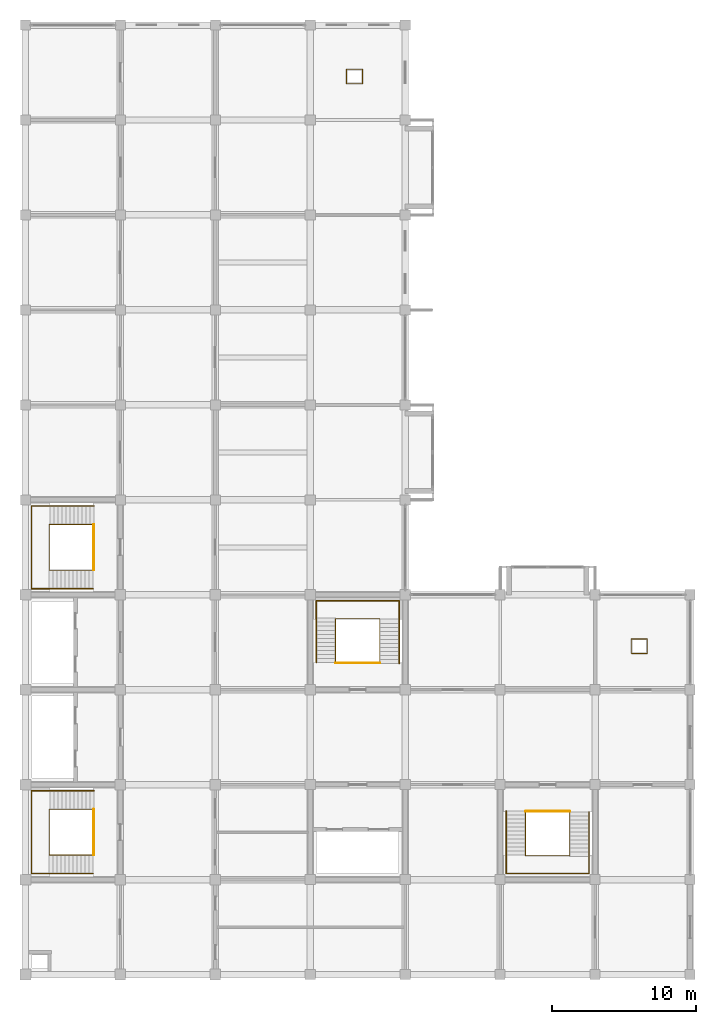
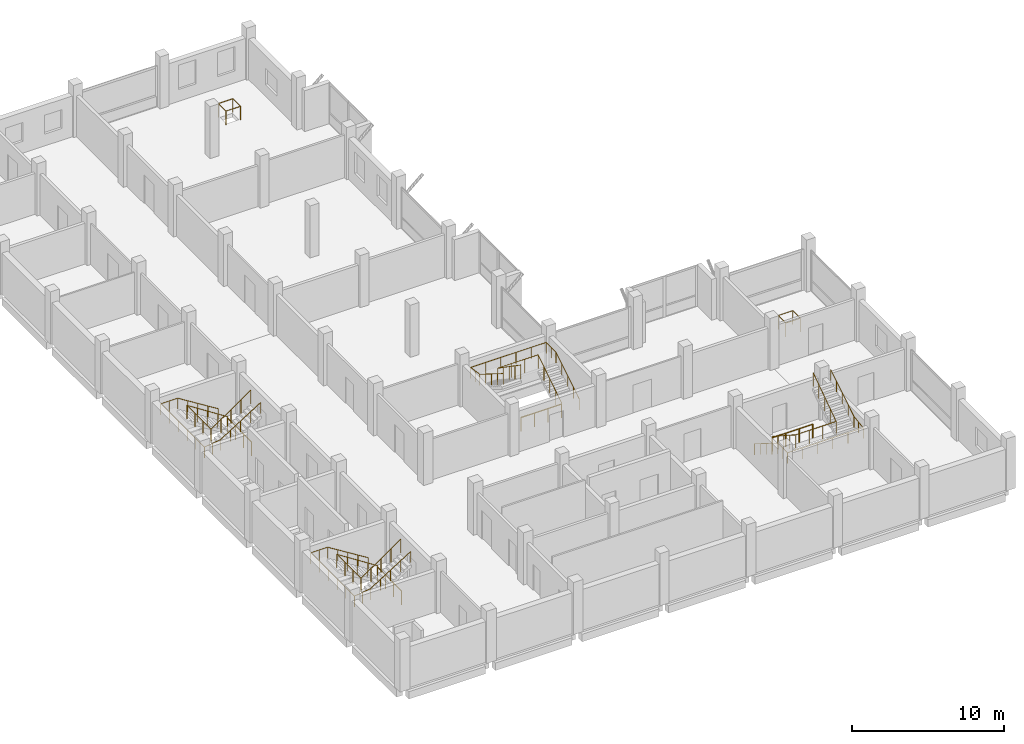
# One storey, part 11 of 11: 14 railings.
"""IFC4 building model written with IfcOpenShell, lengths in metres."""

from ifc_helpers import new_model, si_unit, direction, frame, origin, origin_2d, place, context, subcontext, project, spatial, circle, extrude, material, type_object, element, save


model = new_model("IFC4")

# Units and contexts
model_context = context("Model", 3, precision=1e-05, world=origin(), true_north=direction((0.0, 1.0)))
body_context = subcontext(model_context, "Body", "Model", "MODEL_VIEW")
ifc_project = project(units=[si_unit("LENGTHUNIT", "METRE"), si_unit("AREAUNIT", "SQUARE_METRE"), si_unit("VOLUMEUNIT", "CUBIC_METRE"), si_unit("PLANEANGLEUNIT", "RADIAN"), si_unit("MASSUNIT", "GRAM", prefix="KILO")], contexts=[model_context])

# Site, building, storey
site_placement = place(None, origin())
site = spatial("IfcSite", under=ifc_project, at=site_placement, CompositionType="ELEMENT")
building_placement = place(site_placement, origin())
building = spatial("IfcBuilding", under=site, at=building_placement, Name="Rusizi Kubbe Research Institute", CompositionType="ELEMENT")
storey_placement = place(building_placement, frame((0.0, 0.0, 39.60009765625)))
storey = spatial("IfcBuildingStorey", under=building, at=storey_placement, Name="L09", CompositionType="ELEMENT", Elevation=39.60009765625)

# Railings
ifc_material_1 = material(Name="Painted Steel Stair Guard", Category="steel")
railing_type_1 = type_object("IfcRailingType", Name="GR-STAIR", PredefinedType="GUARDRAIL", material=ifc_material_1)
railing_1_placement = place(storey_placement, frame((4.780029296875, 11.489990234375, 0.08740234375)))
element("IfcRailing", 1, at=railing_1_placement, inside=storey, type_object=railing_type_1, Name="Stair Inner Well Guard ST1 L09", PredefinedType="GUARDRAIL", context=body_context, shape_type="SweptSolid", body=[
    extrude(circle(Radius=0.02392578125, at=origin_2d()), frame((0.0, 0.0, 1.09619140625), z_axis=(-0.840361383606, 0.0, 0.542026516828), x_axis=(0.0, -1.0, 0.0)), (0.0, 0.0, 1.0), 3.712890625),
    extrude(circle(Radius=0.02392578125, at=origin_2d()), frame((-3.1201171875, 0.0, 3.1083984375), z_axis=(0.0, -1.0, 0.0), x_axis=(1.0, 0.0, 0.0)), (0.0, 0.0, 1.0), 3.179931640625),
    extrude(circle(Radius=0.02392578125, at=origin_2d()), frame((-3.1201171875, -3.179931640625, 3.1083984375), z_axis=(0.82276741766, 0.0, 0.568378198419), x_axis=(0.0, 1.0, 0.0)), (0.0, 0.0, 1.0), 3.69482421875),
    extrude(circle(Radius=0.02099609375, at=origin_2d()), origin(), (0.0, 0.0, 1.0), 1.072021484375),
    extrude(circle(Radius=0.02099609375, at=origin_2d()), frame((-0.780029296875, 0.0, 0.503173828125)), (0.0, 0.0, 1.0), 1.072021484375),
    extrude(circle(Radius=0.02099609375, at=origin_2d()), frame((-1.56005859375, 0.0, 1.00634765625)), (0.0, 0.0, 1.0), 1.072021484375),
    extrude(circle(Radius=0.02099609375, at=origin_2d()), frame((-2.340087890625, 0.0, 1.50927734375)), (0.0, 0.0, 1.0), 1.072021484375),
    extrude(circle(Radius=0.02099609375, at=origin_2d()), frame((-3.1201171875, 0.0, 2.012451171875)), (0.0, 0.0, 1.0), 1.072021484375),
    extrude(circle(Radius=0.02099609375, at=origin_2d()), frame((-3.1201171875, -1.06005859375, 2.012451171875)), (0.0, 0.0, 1.0), 1.072021484375),
    extrude(circle(Radius=0.02099609375, at=origin_2d()), frame((-3.1201171875, -2.119873046875, 2.012451171875)), (0.0, 0.0, 1.0), 1.072021484375),
    extrude(circle(Radius=0.02099609375, at=origin_2d()), frame((-3.1201171875, -3.179931640625, 2.012451171875)), (0.0, 0.0, 1.0), 1.072021484375),
    extrude(circle(Radius=0.02099609375, at=origin_2d()), frame((-2.360107421875, -3.179931640625, 2.53759765625)), (0.0, 0.0, 1.0), 1.072021484375),
    extrude(circle(Radius=0.02099609375, at=origin_2d()), frame((-1.60009765625, -3.179931640625, 3.0625)), (0.0, 0.0, 1.0), 1.072021484375),
    extrude(circle(Radius=0.02099609375, at=origin_2d()), frame((-0.840087890625, -3.179931640625, 3.58740234375)), (0.0, 0.0, 1.0), 1.072021484375),
    extrude(circle(Radius=0.02099609375, at=origin_2d()), frame((-0.080078125, -3.179931640625, 4.112548828125)), (0.0, 0.0, 1.0), 1.072021484375),
])
railing_2_placement = place(storey_placement, frame((4.75, 11.489990234375, 0.0)))
element("IfcRailing", 2, at=railing_2_placement, inside=storey, type_object=railing_type_1, Name="Stair Floor Edge Guard ST1 L09", PredefinedType="GUARDRAIL", context=body_context, shape_type="SweptSolid", body=[
    extrude(circle(Radius=0.02392578125, at=origin_2d()), frame((0.0, 0.0, 1.09619140625), z_axis=(0.0, -1.0, 0.0), x_axis=(1.0, 0.0, 0.0)), (0.0, 0.0, 1.0), 3.179931640625),
    extrude(circle(Radius=0.02099609375, at=origin_2d()), origin(), (0.0, 0.0, 1.0), 1.072021484375),
    extrude(circle(Radius=0.02099609375, at=origin_2d()), frame((0.0, -1.06005859375, 0.0)), (0.0, 0.0, 1.0), 1.072021484375),
    extrude(circle(Radius=0.02099609375, at=origin_2d()), frame((0.0, -2.119873046875, 0.0)), (0.0, 0.0, 1.0), 1.072021484375),
    extrude(circle(Radius=0.02099609375, at=origin_2d()), frame((0.0, -3.179931640625, 0.0)), (0.0, 0.0, 1.0), 1.072021484375),
])
railing_3_placement = place(storey_placement, frame((4.780029296875, 31.2900390625, 0.08740234375)))
element("IfcRailing", 3, at=railing_3_placement, inside=storey, type_object=railing_type_1, Name="Stair Inner Well Guard ST2 L09", PredefinedType="GUARDRAIL", context=body_context, shape_type="SweptSolid", body=[
    extrude(circle(Radius=0.02392578125, at=origin_2d()), frame((0.0, 0.0, 1.09619140625), z_axis=(-0.840361383606, 0.0, 0.542026516828), x_axis=(0.0, -1.0, 0.0)), (0.0, 0.0, 1.0), 3.712890625),
    extrude(circle(Radius=0.02392578125, at=origin_2d()), frame((-3.1201171875, 0.0, 3.1083984375), z_axis=(0.0, -1.0, 0.0), x_axis=(1.0, 0.0, 0.0)), (0.0, 0.0, 1.0), 3.179931640625),
    extrude(circle(Radius=0.02392578125, at=origin_2d()), frame((-3.1201171875, -3.179931640625, 3.1083984375), z_axis=(0.82276741766, 0.0, 0.568378198419), x_axis=(0.0, 1.0, 0.0)), (0.0, 0.0, 1.0), 3.69482421875),
    extrude(circle(Radius=0.02099609375, at=origin_2d()), origin(), (0.0, 0.0, 1.0), 1.072021484375),
    extrude(circle(Radius=0.02099609375, at=origin_2d()), frame((-0.780029296875, 0.0, 0.503173828125)), (0.0, 0.0, 1.0), 1.072021484375),
    extrude(circle(Radius=0.02099609375, at=origin_2d()), frame((-1.56005859375, 0.0, 1.00634765625)), (0.0, 0.0, 1.0), 1.072021484375),
    extrude(circle(Radius=0.02099609375, at=origin_2d()), frame((-2.340087890625, 0.0, 1.50927734375)), (0.0, 0.0, 1.0), 1.072021484375),
    extrude(circle(Radius=0.02099609375, at=origin_2d()), frame((-3.1201171875, 0.0, 2.012451171875)), (0.0, 0.0, 1.0), 1.072021484375),
    extrude(circle(Radius=0.02099609375, at=origin_2d()), frame((-3.1201171875, -1.06005859375, 2.012451171875)), (0.0, 0.0, 1.0), 1.072021484375),
    extrude(circle(Radius=0.02099609375, at=origin_2d()), frame((-3.1201171875, -2.119873046875, 2.012451171875)), (0.0, 0.0, 1.0), 1.072021484375),
    extrude(circle(Radius=0.02099609375, at=origin_2d()), frame((-3.1201171875, -3.179931640625, 2.012451171875)), (0.0, 0.0, 1.0), 1.072021484375),
    extrude(circle(Radius=0.02099609375, at=origin_2d()), frame((-2.360107421875, -3.179931640625, 2.53759765625)), (0.0, 0.0, 1.0), 1.072021484375),
    extrude(circle(Radius=0.02099609375, at=origin_2d()), frame((-1.60009765625, -3.179931640625, 3.0625)), (0.0, 0.0, 1.0), 1.072021484375),
    extrude(circle(Radius=0.02099609375, at=origin_2d()), frame((-0.840087890625, -3.179931640625, 3.58740234375)), (0.0, 0.0, 1.0), 1.072021484375),
    extrude(circle(Radius=0.02099609375, at=origin_2d()), frame((-0.080078125, -3.179931640625, 4.112548828125)), (0.0, 0.0, 1.0), 1.072021484375),
])
railing_4_placement = place(storey_placement, frame((4.75, 31.2900390625, 0.0)))
element("IfcRailing", 4, at=railing_4_placement, inside=storey, type_object=railing_type_1, Name="Stair Floor Edge Guard ST2 L09", PredefinedType="GUARDRAIL", context=body_context, shape_type="SweptSolid", body=[
    extrude(circle(Radius=0.02392578125, at=origin_2d()), frame((0.0, 0.0, 1.09619140625), z_axis=(0.0, -1.0, 0.0), x_axis=(1.0, 0.0, 0.0)), (0.0, 0.0, 1.0), 3.179931640625),
    extrude(circle(Radius=0.02099609375, at=origin_2d()), origin(), (0.0, 0.0, 1.0), 1.072021484375),
    extrude(circle(Radius=0.02099609375, at=origin_2d()), frame((0.0, -1.06005859375, 0.0)), (0.0, 0.0, 1.0), 1.072021484375),
    extrude(circle(Radius=0.02099609375, at=origin_2d()), frame((0.0, -2.119873046875, 0.0)), (0.0, 0.0, 1.0), 1.072021484375),
    extrude(circle(Radius=0.02099609375, at=origin_2d()), frame((0.0, -3.179931640625, 0.0)), (0.0, 0.0, 1.0), 1.072021484375),
])
railing_5_placement = place(storey_placement, frame((24.639892578125, 21.6201171875, 0.08740234375)))
element("IfcRailing", 5, at=railing_5_placement, inside=storey, type_object=railing_type_1, Name="Stair Inner Well Guard ST3 L09", PredefinedType="GUARDRAIL", context=body_context, shape_type="SweptSolid", body=[
    extrude(circle(Radius=0.02392578125, at=origin_2d()), frame((0.0, 0.0, 1.09619140625), z_axis=(0.0, 0.840342063375, 0.542056469865), x_axis=(-1.0, 0.0, 0.0)), (0.0, 0.0, 1.0), 3.712646484375),
    extrude(circle(Radius=0.02392578125, at=origin_2d()), frame((0.0, 3.119873046875, 3.1083984375), z_axis=(-1.0, 0.0, 0.0), x_axis=(0.0, -1.0, 0.0)), (0.0, 0.0, 1.0), 3.079833984375),
    extrude(circle(Radius=0.02392578125, at=origin_2d()), frame((-3.079833984375, 3.119873046875, 3.1083984375), z_axis=(0.0, -0.82276741766, 0.568378198419), x_axis=(1.0, 0.0, 0.0)), (0.0, 0.0, 1.0), 3.69482421875),
    extrude(circle(Radius=0.02099609375, at=origin_2d()), origin(), (0.0, 0.0, 1.0), 1.072021484375),
    extrude(circle(Radius=0.02099609375, at=origin_2d()), frame((0.0, 0.780029296875, 0.503173828125)), (0.0, 0.0, 1.0), 1.072021484375),
    extrude(circle(Radius=0.02099609375, at=origin_2d()), frame((0.0, 1.56005859375, 1.00634765625)), (0.0, 0.0, 1.0), 1.072021484375),
    extrude(circle(Radius=0.02099609375, at=origin_2d()), frame((0.0, 2.33984375, 1.50927734375)), (0.0, 0.0, 1.0), 1.072021484375),
    extrude(circle(Radius=0.02099609375, at=origin_2d()), frame((0.0, 3.119873046875, 2.012451171875)), (0.0, 0.0, 1.0), 1.072021484375),
    extrude(circle(Radius=0.02099609375, at=origin_2d()), frame((-1.026611328125, 3.119873046875, 2.012451171875)), (0.0, 0.0, 1.0), 1.072021484375),
    extrude(circle(Radius=0.02099609375, at=origin_2d()), frame((-2.05322265625, 3.119873046875, 2.012451171875)), (0.0, 0.0, 1.0), 1.072021484375),
    extrude(circle(Radius=0.02099609375, at=origin_2d()), frame((-3.079833984375, 3.119873046875, 2.012451171875)), (0.0, 0.0, 1.0), 1.072021484375),
    extrude(circle(Radius=0.02099609375, at=origin_2d()), frame((-3.079833984375, 2.35986328125, 2.53759765625)), (0.0, 0.0, 1.0), 1.072021484375),
    extrude(circle(Radius=0.02099609375, at=origin_2d()), frame((-3.079833984375, 1.599853515625, 3.0625)), (0.0, 0.0, 1.0), 1.072021484375),
    extrude(circle(Radius=0.02099609375, at=origin_2d()), frame((-3.079833984375, 0.83984375, 3.58740234375)), (0.0, 0.0, 1.0), 1.072021484375),
    extrude(circle(Radius=0.02099609375, at=origin_2d()), frame((-3.079833984375, 0.079833984375, 4.112548828125)), (0.0, 0.0, 1.0), 1.072021484375),
])
railing_6_placement = place(storey_placement, frame((24.639892578125, 21.64990234375, 0.0)))
element("IfcRailing", 6, at=railing_6_placement, inside=storey, type_object=railing_type_1, Name="Stair Floor Edge Guard ST3 L09", PredefinedType="GUARDRAIL", context=body_context, shape_type="SweptSolid", body=[
    extrude(circle(Radius=0.02392578125, at=origin_2d()), frame((0.0, 0.0, 1.09619140625), z_axis=(-1.0, 0.0, 0.0), x_axis=(0.0, -1.0, 0.0)), (0.0, 0.0, 1.0), 3.079833984375),
    extrude(circle(Radius=0.02099609375, at=origin_2d()), origin(), (0.0, 0.0, 1.0), 1.072021484375),
    extrude(circle(Radius=0.02099609375, at=origin_2d()), frame((-1.026611328125, 0.0, 0.0)), (0.0, 0.0, 1.0), 1.072021484375),
    extrude(circle(Radius=0.02099609375, at=origin_2d()), frame((-2.05322265625, 0.0, 0.0)), (0.0, 0.0, 1.0), 1.072021484375),
    extrude(circle(Radius=0.02099609375, at=origin_2d()), frame((-3.079833984375, 0.0, 0.0)), (0.0, 0.0, 1.0), 1.072021484375),
])
railing_7_placement = place(storey_placement, frame((34.760009765625, 11.3798828125, 0.08740234375)))
element("IfcRailing", 7, at=railing_7_placement, inside=storey, type_object=railing_type_1, Name="Stair Inner Well Guard ST4 L09", PredefinedType="GUARDRAIL", context=body_context, shape_type="SweptSolid", body=[
    extrude(circle(Radius=0.02392578125, at=origin_2d()), frame((0.0, 0.0, 1.09619140625), z_axis=(0.0, -0.840342063375, 0.542056469865), x_axis=(1.0, 0.0, 0.0)), (0.0, 0.0, 1.0), 3.712646484375),
    extrude(circle(Radius=0.02392578125, at=origin_2d()), frame((0.0, -3.119873046875, 3.1083984375), z_axis=(1.0, 0.0, 0.0), x_axis=(0.0, 1.0, 0.0)), (0.0, 0.0, 1.0), 3.080078125),
    extrude(circle(Radius=0.02392578125, at=origin_2d()), frame((3.080078125, -3.119873046875, 3.1083984375), z_axis=(0.0, 0.82276741766, 0.568378198419), x_axis=(-1.0, 0.0, 0.0)), (0.0, 0.0, 1.0), 3.69482421875),
    extrude(circle(Radius=0.02099609375, at=origin_2d()), origin(), (0.0, 0.0, 1.0), 1.072021484375),
    extrude(circle(Radius=0.02099609375, at=origin_2d()), frame((0.0, -0.780029296875, 0.503173828125)), (0.0, 0.0, 1.0), 1.072021484375),
    extrude(circle(Radius=0.02099609375, at=origin_2d()), frame((0.0, -1.56005859375, 1.00634765625)), (0.0, 0.0, 1.0), 1.072021484375),
    extrude(circle(Radius=0.02099609375, at=origin_2d()), frame((0.0, -2.33984375, 1.50927734375)), (0.0, 0.0, 1.0), 1.072021484375),
    extrude(circle(Radius=0.02099609375, at=origin_2d()), frame((0.0, -3.119873046875, 2.012451171875)), (0.0, 0.0, 1.0), 1.072021484375),
    extrude(circle(Radius=0.02099609375, at=origin_2d()), frame((1.026611328125, -3.119873046875, 2.012451171875)), (0.0, 0.0, 1.0), 1.072021484375),
    extrude(circle(Radius=0.02099609375, at=origin_2d()), frame((2.053466796875, -3.119873046875, 2.012451171875)), (0.0, 0.0, 1.0), 1.072021484375),
    extrude(circle(Radius=0.02099609375, at=origin_2d()), frame((3.080078125, -3.119873046875, 2.012451171875)), (0.0, 0.0, 1.0), 1.072021484375),
    extrude(circle(Radius=0.02099609375, at=origin_2d()), frame((3.080078125, -2.35986328125, 2.53759765625)), (0.0, 0.0, 1.0), 1.072021484375),
    extrude(circle(Radius=0.02099609375, at=origin_2d()), frame((3.080078125, -1.599853515625, 3.0625)), (0.0, 0.0, 1.0), 1.072021484375),
    extrude(circle(Radius=0.02099609375, at=origin_2d()), frame((3.080078125, -0.83984375, 3.58740234375)), (0.0, 0.0, 1.0), 1.072021484375),
    extrude(circle(Radius=0.02099609375, at=origin_2d()), frame((3.080078125, -0.079833984375, 4.112548828125)), (0.0, 0.0, 1.0), 1.072021484375),
])
railing_8_placement = place(storey_placement, frame((34.760009765625, 11.35009765625, 0.0)))
element("IfcRailing", 8, at=railing_8_placement, inside=storey, type_object=railing_type_1, Name="Stair Floor Edge Guard ST4 L09", PredefinedType="GUARDRAIL", context=body_context, shape_type="SweptSolid", body=[
    extrude(circle(Radius=0.02392578125, at=origin_2d()), frame((0.0, 0.0, 1.09619140625), z_axis=(1.0, 0.0, 0.0), x_axis=(0.0, 1.0, 0.0)), (0.0, 0.0, 1.0), 3.080078125),
    extrude(circle(Radius=0.02099609375, at=origin_2d()), origin(), (0.0, 0.0, 1.0), 1.072021484375),
    extrude(circle(Radius=0.02099609375, at=origin_2d()), frame((1.026611328125, 0.0, 0.0)), (0.0, 0.0, 1.0), 1.072021484375),
    extrude(circle(Radius=0.02099609375, at=origin_2d()), frame((2.053466796875, 0.0, 0.0)), (0.0, 0.0, 1.0), 1.072021484375),
    extrude(circle(Radius=0.02099609375, at=origin_2d()), frame((3.080078125, 0.0, 0.0)), (0.0, 0.0, 1.0), 1.072021484375),
])
for number, where, name in (
    (9, (22.320068359375, 61.919921875, 0.0), "Service Riser Guard L09 NORTHA"),
    (10, (42.1201171875, 22.320068359375, 0.0), "Service Riser Guard L09 EAST"),
):
    element("IfcRailing", number, at=place(storey_placement, frame(where)), inside=storey, type_object=railing_type_1, Name=name, PredefinedType="GUARDRAIL", context=body_context, shape_type="SweptSolid", body=[
        extrude(circle(Radius=0.02392578125, at=origin_2d()), frame((0.0, 0.0, 1.09619140625), z_axis=(1.0, 0.0, 0.0), x_axis=(0.0, 1.0, 0.0)), (0.0, 0.0, 1.0), 1.10986328125),
        extrude(circle(Radius=0.02392578125, at=origin_2d()), frame((1.10986328125, 0.0, 1.09619140625), z_axis=(0.0, 1.0, 0.0), x_axis=(-1.0, 0.0, 0.0)), (0.0, 0.0, 1.0), 1.010009765625),
        extrude(circle(Radius=0.02392578125, at=origin_2d()), frame((1.10986328125, 1.010009765625, 1.09619140625), z_axis=(-1.0, 0.0, 0.0), x_axis=(0.0, -1.0, 0.0)), (0.0, 0.0, 1.0), 1.10986328125),
        extrude(circle(Radius=0.02392578125, at=origin_2d()), frame((0.0, 1.010009765625, 1.09619140625), z_axis=(0.0, -1.0, 0.0), x_axis=(1.0, 0.0, 0.0)), (0.0, 0.0, 1.0), 1.010009765625),
        extrude(circle(Radius=0.02099609375, at=origin_2d()), origin(), (0.0, 0.0, 1.0), 1.072021484375),
        extrude(circle(Radius=0.02099609375, at=origin_2d()), frame((1.10986328125, 0.0, 0.0)), (0.0, 0.0, 1.0), 1.072021484375),
        extrude(circle(Radius=0.02099609375, at=origin_2d()), frame((1.10986328125, 1.010009765625, 0.0)), (0.0, 0.0, 1.0), 1.072021484375),
        extrude(circle(Radius=0.02099609375, at=origin_2d()), frame((0.0, 1.010009765625, 0.0)), (0.0, 0.0, 1.0), 1.072021484375),
    ])
ifc_material_2 = material(Name="Brushed Stainless Steel Handrail", Category="steel")
railing_type_2 = type_object("IfcRailingType", Name="HR-STAIR", PredefinedType="HANDRAIL", material=ifc_material_2)
railing_9_placement = place(storey_placement, frame((4.780029296875, 12.780029296875, 0.1748046875)))
element("IfcRailing", 11, at=railing_9_placement, inside=storey, type_object=railing_type_2, Name="Stair Wall Handrail ST1 L09", PredefinedType="HANDRAIL", context=body_context, shape_type="SweptSolid", body=[
    extrude(circle(Radius=0.02392578125, at=origin_2d()), frame((0.0, 0.0, 0.8759765625), z_axis=(-0.847998304005, 0.0, 0.529998940003), x_axis=(0.0, -1.0, 0.0)), (0.0, 0.0, 1.0), 3.632080078125),
    extrude(circle(Radius=0.02392578125, at=origin_2d()), frame((-3.080078125, 0.0, 2.80078125), z_axis=(-1.0, 0.0, 0.0), x_axis=(0.0, -1.0, 0.0)), (0.0, 0.0, 1.0), 1.280029296875),
    extrude(circle(Radius=0.02392578125, at=origin_2d()), frame((-4.360107421875, 0.0, 2.80078125), z_axis=(0.0, -1.0, 0.0), x_axis=(1.0, 0.0, 0.0)), (0.0, 0.0, 1.0), 5.760009765625),
    extrude(circle(Radius=0.02392578125, at=origin_2d()), frame((-4.360107421875, -5.760009765625, 2.80078125), z_axis=(0.989630492691, 0.0, 0.143636652482), x_axis=(0.0, 1.0, 0.0)), (0.0, 0.0, 1.0), 1.21875),
    extrude(circle(Radius=0.02392578125, at=origin_2d()), frame((-3.154052734375, -5.760009765625, 2.97607421875), z_axis=(0.847525270172, 0.0, 0.530755043706), x_axis=(0.0, 1.0, 0.0)), (0.0, 0.0, 1.0), 3.626953125),
    extrude(circle(Radius=0.02099609375, at=origin_2d()), origin(), (0.0, 0.0, 1.0), 0.851806640625),
    extrude(circle(Radius=0.02099609375, at=origin_2d()), frame((-0.77001953125, 0.0, 0.481201171875)), (0.0, 0.0, 1.0), 0.851806640625),
    extrude(circle(Radius=0.02099609375, at=origin_2d()), frame((-1.5400390625, 0.0, 0.96240234375)), (0.0, 0.0, 1.0), 0.851806640625),
    extrude(circle(Radius=0.02099609375, at=origin_2d()), frame((-2.31005859375, 0.0, 1.44384765625)), (0.0, 0.0, 1.0), 0.851806640625),
    extrude(circle(Radius=0.02099609375, at=origin_2d()), frame((-3.080078125, 0.0, 1.925048828125)), (0.0, 0.0, 1.0), 0.851806640625),
    extrude(circle(Radius=0.02099609375, at=origin_2d()), frame((-3.72021484375, 0.0, 1.925048828125)), (0.0, 0.0, 1.0), 0.851806640625),
    extrude(circle(Radius=0.02099609375, at=origin_2d()), frame((-4.360107421875, 0.0, 1.925048828125)), (0.0, 0.0, 1.0), 0.851806640625),
    extrude(circle(Radius=0.02099609375, at=origin_2d()), frame((-4.360107421875, -1.152099609375, 1.925048828125)), (0.0, 0.0, 1.0), 0.851806640625),
    extrude(circle(Radius=0.02099609375, at=origin_2d()), frame((-4.360107421875, -2.303955078125, 1.925048828125)), (0.0, 0.0, 1.0), 0.851806640625),
    extrude(circle(Radius=0.02099609375, at=origin_2d()), frame((-4.360107421875, -3.4560546875, 1.925048828125)), (0.0, 0.0, 1.0), 0.851806640625),
    extrude(circle(Radius=0.02099609375, at=origin_2d()), frame((-4.360107421875, -4.60791015625, 1.925048828125)), (0.0, 0.0, 1.0), 0.851806640625),
    extrude(circle(Radius=0.02099609375, at=origin_2d()), frame((-4.360107421875, -5.760009765625, 1.925048828125)), (0.0, 0.0, 1.0), 0.851806640625),
    extrude(circle(Radius=0.02099609375, at=origin_2d()), frame((-3.757080078125, -5.760009765625, 2.0126953125)), (0.0, 0.0, 1.0), 0.851806640625),
    extrude(circle(Radius=0.02099609375, at=origin_2d()), frame((-3.154052734375, -5.760009765625, 2.10009765625)), (0.0, 0.0, 1.0), 0.851806640625),
    extrude(circle(Radius=0.02099609375, at=origin_2d()), frame((-2.385498046875, -5.760009765625, 2.581298828125)), (0.0, 0.0, 1.0), 0.851806640625),
    extrude(circle(Radius=0.02099609375, at=origin_2d()), frame((-1.6171875, -5.760009765625, 3.0625)), (0.0, 0.0, 1.0), 0.851806640625),
    extrude(circle(Radius=0.02099609375, at=origin_2d()), frame((-0.8486328125, -5.760009765625, 3.5439453125)), (0.0, 0.0, 1.0), 0.851806640625),
    extrude(circle(Radius=0.02099609375, at=origin_2d()), frame((-0.080078125, -5.760009765625, 4.025146484375)), (0.0, 0.0, 1.0), 0.851806640625),
])
railing_10_placement = place(storey_placement, frame((4.780029296875, 32.580078125, 0.1748046875)))
element("IfcRailing", 12, at=railing_10_placement, inside=storey, type_object=railing_type_2, Name="Stair Wall Handrail ST2 L09", PredefinedType="HANDRAIL", context=body_context, shape_type="SweptSolid", body=[
    extrude(circle(Radius=0.02392578125, at=origin_2d()), frame((0.0, 0.0, 0.8759765625), z_axis=(-0.847998304005, 0.0, 0.529998940003), x_axis=(0.0, -1.0, 0.0)), (0.0, 0.0, 1.0), 3.632080078125),
    extrude(circle(Radius=0.02392578125, at=origin_2d()), frame((-3.080078125, 0.0, 2.80078125), z_axis=(-1.0, 0.0, 0.0), x_axis=(0.0, -1.0, 0.0)), (0.0, 0.0, 1.0), 1.280029296875),
    extrude(circle(Radius=0.02392578125, at=origin_2d()), frame((-4.360107421875, 0.0, 2.80078125), z_axis=(0.0, -1.0, 0.0), x_axis=(1.0, 0.0, 0.0)), (0.0, 0.0, 1.0), 5.760009765625),
    extrude(circle(Radius=0.02392578125, at=origin_2d()), frame((-4.360107421875, -5.760009765625, 2.80078125), z_axis=(0.989630492691, 0.0, 0.143636652482), x_axis=(0.0, 1.0, 0.0)), (0.0, 0.0, 1.0), 1.21875),
    extrude(circle(Radius=0.02392578125, at=origin_2d()), frame((-3.154052734375, -5.760009765625, 2.97607421875), z_axis=(0.847525270172, 0.0, 0.530755043706), x_axis=(0.0, 1.0, 0.0)), (0.0, 0.0, 1.0), 3.626953125),
    extrude(circle(Radius=0.02099609375, at=origin_2d()), origin(), (0.0, 0.0, 1.0), 0.851806640625),
    extrude(circle(Radius=0.02099609375, at=origin_2d()), frame((-0.77001953125, 0.0, 0.481201171875)), (0.0, 0.0, 1.0), 0.851806640625),
    extrude(circle(Radius=0.02099609375, at=origin_2d()), frame((-1.5400390625, 0.0, 0.96240234375)), (0.0, 0.0, 1.0), 0.851806640625),
    extrude(circle(Radius=0.02099609375, at=origin_2d()), frame((-2.31005859375, 0.0, 1.44384765625)), (0.0, 0.0, 1.0), 0.851806640625),
    extrude(circle(Radius=0.02099609375, at=origin_2d()), frame((-3.080078125, 0.0, 1.925048828125)), (0.0, 0.0, 1.0), 0.851806640625),
    extrude(circle(Radius=0.02099609375, at=origin_2d()), frame((-3.72021484375, 0.0, 1.925048828125)), (0.0, 0.0, 1.0), 0.851806640625),
    extrude(circle(Radius=0.02099609375, at=origin_2d()), frame((-4.360107421875, 0.0, 1.925048828125)), (0.0, 0.0, 1.0), 0.851806640625),
    extrude(circle(Radius=0.02099609375, at=origin_2d()), frame((-4.360107421875, -1.152099609375, 1.925048828125)), (0.0, 0.0, 1.0), 0.851806640625),
    extrude(circle(Radius=0.02099609375, at=origin_2d()), frame((-4.360107421875, -2.303955078125, 1.925048828125)), (0.0, 0.0, 1.0), 0.851806640625),
    extrude(circle(Radius=0.02099609375, at=origin_2d()), frame((-4.360107421875, -3.4560546875, 1.925048828125)), (0.0, 0.0, 1.0), 0.851806640625),
    extrude(circle(Radius=0.02099609375, at=origin_2d()), frame((-4.360107421875, -4.60791015625, 1.925048828125)), (0.0, 0.0, 1.0), 0.851806640625),
    extrude(circle(Radius=0.02099609375, at=origin_2d()), frame((-4.360107421875, -5.760009765625, 1.925048828125)), (0.0, 0.0, 1.0), 0.851806640625),
    extrude(circle(Radius=0.02099609375, at=origin_2d()), frame((-3.757080078125, -5.760009765625, 2.0126953125)), (0.0, 0.0, 1.0), 0.851806640625),
    extrude(circle(Radius=0.02099609375, at=origin_2d()), frame((-3.154052734375, -5.760009765625, 2.10009765625)), (0.0, 0.0, 1.0), 0.851806640625),
    extrude(circle(Radius=0.02099609375, at=origin_2d()), frame((-2.385498046875, -5.760009765625, 2.581298828125)), (0.0, 0.0, 1.0), 0.851806640625),
    extrude(circle(Radius=0.02099609375, at=origin_2d()), frame((-1.6171875, -5.760009765625, 3.0625)), (0.0, 0.0, 1.0), 0.851806640625),
    extrude(circle(Radius=0.02099609375, at=origin_2d()), frame((-0.8486328125, -5.760009765625, 3.5439453125)), (0.0, 0.0, 1.0), 0.851806640625),
    extrude(circle(Radius=0.02099609375, at=origin_2d()), frame((-0.080078125, -5.760009765625, 4.025146484375)), (0.0, 0.0, 1.0), 0.851806640625),
])
railing_11_placement = place(storey_placement, frame((25.97998046875, 21.6201171875, 0.1748046875)))
element("IfcRailing", 13, at=railing_11_placement, inside=storey, type_object=railing_type_2, Name="Stair Wall Handrail ST3 L09", PredefinedType="HANDRAIL", context=body_context, shape_type="SweptSolid", body=[
    extrude(circle(Radius=0.02392578125, at=origin_2d()), frame((0.0, 0.0, 0.8759765625), z_axis=(0.0, 0.847979421464, 0.530029150871), x_axis=(-1.0, 0.0, 0.0)), (0.0, 0.0, 1.0), 3.632080078125),
    extrude(circle(Radius=0.02392578125, at=origin_2d()), frame((0.0, 3.079833984375, 2.80078125), z_axis=(0.0, 1.0, 0.0), x_axis=(-1.0, 0.0, 0.0)), (0.0, 0.0, 1.0), 1.280029296875),
    extrude(circle(Radius=0.02392578125, at=origin_2d()), frame((0.0, 4.35986328125, 2.80078125), z_axis=(-1.0, 0.0, 0.0), x_axis=(0.0, -1.0, 0.0)), (0.0, 0.0, 1.0), 5.760009765625),
    extrude(circle(Radius=0.02392578125, at=origin_2d()), frame((-5.760009765625, 4.35986328125, 2.80078125), z_axis=(0.0, -0.989630492691, 0.143636652482), x_axis=(1.0, 0.0, 0.0)), (0.0, 0.0, 1.0), 1.21875),
    extrude(circle(Radius=0.02392578125, at=origin_2d()), frame((-5.760009765625, 3.15380859375, 2.97607421875), z_axis=(0.0, -0.847525270172, 0.530755043706), x_axis=(1.0, 0.0, 0.0)), (0.0, 0.0, 1.0), 3.626953125),
    extrude(circle(Radius=0.02099609375, at=origin_2d()), origin(), (0.0, 0.0, 1.0), 0.851806640625),
    extrude(circle(Radius=0.02099609375, at=origin_2d()), frame((0.0, 0.77001953125, 0.481201171875)), (0.0, 0.0, 1.0), 0.851806640625),
    extrude(circle(Radius=0.02099609375, at=origin_2d()), frame((0.0, 1.5400390625, 0.96240234375)), (0.0, 0.0, 1.0), 0.851806640625),
    extrude(circle(Radius=0.02099609375, at=origin_2d()), frame((0.0, 2.309814453125, 1.44384765625)), (0.0, 0.0, 1.0), 0.851806640625),
    extrude(circle(Radius=0.02099609375, at=origin_2d()), frame((0.0, 3.079833984375, 1.925048828125)), (0.0, 0.0, 1.0), 0.851806640625),
    extrude(circle(Radius=0.02099609375, at=origin_2d()), frame((0.0, 3.7197265625, 1.925048828125)), (0.0, 0.0, 1.0), 0.851806640625),
    extrude(circle(Radius=0.02099609375, at=origin_2d()), frame((0.0, 4.35986328125, 1.925048828125)), (0.0, 0.0, 1.0), 0.851806640625),
    extrude(circle(Radius=0.02099609375, at=origin_2d()), frame((-1.152099609375, 4.35986328125, 1.925048828125)), (0.0, 0.0, 1.0), 0.851806640625),
    extrude(circle(Radius=0.02099609375, at=origin_2d()), frame((-2.303955078125, 4.35986328125, 1.925048828125)), (0.0, 0.0, 1.0), 0.851806640625),
    extrude(circle(Radius=0.02099609375, at=origin_2d()), frame((-3.4560546875, 4.35986328125, 1.925048828125)), (0.0, 0.0, 1.0), 0.851806640625),
    extrude(circle(Radius=0.02099609375, at=origin_2d()), frame((-4.60791015625, 4.35986328125, 1.925048828125)), (0.0, 0.0, 1.0), 0.851806640625),
    extrude(circle(Radius=0.02099609375, at=origin_2d()), frame((-5.760009765625, 4.35986328125, 1.925048828125)), (0.0, 0.0, 1.0), 0.851806640625),
    extrude(circle(Radius=0.02099609375, at=origin_2d()), frame((-5.760009765625, 3.7568359375, 2.0126953125)), (0.0, 0.0, 1.0), 0.851806640625),
    extrude(circle(Radius=0.02099609375, at=origin_2d()), frame((-5.760009765625, 3.15380859375, 2.10009765625)), (0.0, 0.0, 1.0), 0.851806640625),
    extrude(circle(Radius=0.02099609375, at=origin_2d()), frame((-5.760009765625, 2.38525390625, 2.581298828125)), (0.0, 0.0, 1.0), 0.851806640625),
    extrude(circle(Radius=0.02099609375, at=origin_2d()), frame((-5.760009765625, 1.61669921875, 3.0625)), (0.0, 0.0, 1.0), 0.851806640625),
    extrude(circle(Radius=0.02099609375, at=origin_2d()), frame((-5.760009765625, 0.848388671875, 3.5439453125)), (0.0, 0.0, 1.0), 0.851806640625),
    extrude(circle(Radius=0.02099609375, at=origin_2d()), frame((-5.760009765625, 0.079833984375, 4.025146484375)), (0.0, 0.0, 1.0), 0.851806640625),
])
railing_12_placement = place(storey_placement, frame((33.419921875, 11.3798828125, 0.1748046875)))
element("IfcRailing", 14, at=railing_12_placement, inside=storey, type_object=railing_type_2, Name="Stair Wall Handrail ST4 L09", PredefinedType="HANDRAIL", context=body_context, shape_type="SweptSolid", body=[
    extrude(circle(Radius=0.02392578125, at=origin_2d()), frame((0.0, 0.0, 0.8759765625), z_axis=(0.0, -0.847979421464, 0.530029150871), x_axis=(1.0, 0.0, 0.0)), (0.0, 0.0, 1.0), 3.632080078125),
    extrude(circle(Radius=0.02392578125, at=origin_2d()), frame((0.0, -3.079833984375, 2.80078125), z_axis=(0.0, -1.0, 0.0), x_axis=(1.0, 0.0, 0.0)), (0.0, 0.0, 1.0), 1.280029296875),
    extrude(circle(Radius=0.02392578125, at=origin_2d()), frame((0.0, -4.35986328125, 2.80078125), z_axis=(1.0, 0.0, 0.0), x_axis=(0.0, 1.0, 0.0)), (0.0, 0.0, 1.0), 5.760009765625),
    extrude(circle(Radius=0.02392578125, at=origin_2d()), frame((5.760009765625, -4.35986328125, 2.80078125), z_axis=(0.0, 0.989630492691, 0.143636652482), x_axis=(-1.0, 0.0, 0.0)), (0.0, 0.0, 1.0), 1.21875),
    extrude(circle(Radius=0.02392578125, at=origin_2d()), frame((5.760009765625, -3.15380859375, 2.97607421875), z_axis=(0.0, 0.847525270172, 0.530755043706), x_axis=(-1.0, 0.0, 0.0)), (0.0, 0.0, 1.0), 3.626953125),
    extrude(circle(Radius=0.02099609375, at=origin_2d()), origin(), (0.0, 0.0, 1.0), 0.851806640625),
    extrude(circle(Radius=0.02099609375, at=origin_2d()), frame((0.0, -0.77001953125, 0.481201171875)), (0.0, 0.0, 1.0), 0.851806640625),
    extrude(circle(Radius=0.02099609375, at=origin_2d()), frame((0.0, -1.5400390625, 0.96240234375)), (0.0, 0.0, 1.0), 0.851806640625),
    extrude(circle(Radius=0.02099609375, at=origin_2d()), frame((0.0, -2.309814453125, 1.44384765625)), (0.0, 0.0, 1.0), 0.851806640625),
    extrude(circle(Radius=0.02099609375, at=origin_2d()), frame((0.0, -3.079833984375, 1.925048828125)), (0.0, 0.0, 1.0), 0.851806640625),
    extrude(circle(Radius=0.02099609375, at=origin_2d()), frame((0.0, -3.7197265625, 1.925048828125)), (0.0, 0.0, 1.0), 0.851806640625),
    extrude(circle(Radius=0.02099609375, at=origin_2d()), frame((0.0, -4.35986328125, 1.925048828125)), (0.0, 0.0, 1.0), 0.851806640625),
    extrude(circle(Radius=0.02099609375, at=origin_2d()), frame((1.152099609375, -4.35986328125, 1.925048828125)), (0.0, 0.0, 1.0), 0.851806640625),
    extrude(circle(Radius=0.02099609375, at=origin_2d()), frame((2.303955078125, -4.35986328125, 1.925048828125)), (0.0, 0.0, 1.0), 0.851806640625),
    extrude(circle(Radius=0.02099609375, at=origin_2d()), frame((3.4560546875, -4.35986328125, 1.925048828125)), (0.0, 0.0, 1.0), 0.851806640625),
    extrude(circle(Radius=0.02099609375, at=origin_2d()), frame((4.60791015625, -4.35986328125, 1.925048828125)), (0.0, 0.0, 1.0), 0.851806640625),
    extrude(circle(Radius=0.02099609375, at=origin_2d()), frame((5.760009765625, -4.35986328125, 1.925048828125)), (0.0, 0.0, 1.0), 0.851806640625),
    extrude(circle(Radius=0.02099609375, at=origin_2d()), frame((5.760009765625, -3.7568359375, 2.0126953125)), (0.0, 0.0, 1.0), 0.851806640625),
    extrude(circle(Radius=0.02099609375, at=origin_2d()), frame((5.760009765625, -3.15380859375, 2.10009765625)), (0.0, 0.0, 1.0), 0.851806640625),
    extrude(circle(Radius=0.02099609375, at=origin_2d()), frame((5.760009765625, -2.38525390625, 2.581298828125)), (0.0, 0.0, 1.0), 0.851806640625),
    extrude(circle(Radius=0.02099609375, at=origin_2d()), frame((5.760009765625, -1.61669921875, 3.0625)), (0.0, 0.0, 1.0), 0.851806640625),
    extrude(circle(Radius=0.02099609375, at=origin_2d()), frame((5.760009765625, -0.848388671875, 3.5439453125)), (0.0, 0.0, 1.0), 0.851806640625),
    extrude(circle(Radius=0.02099609375, at=origin_2d()), frame((5.760009765625, -0.079833984375, 4.025146484375)), (0.0, 0.0, 1.0), 0.851806640625),
])

save(model, "model.ifc")
